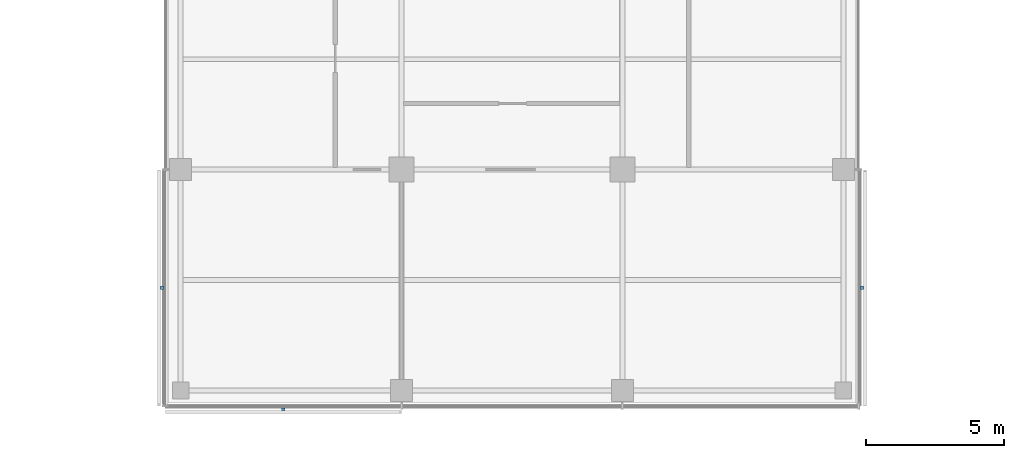
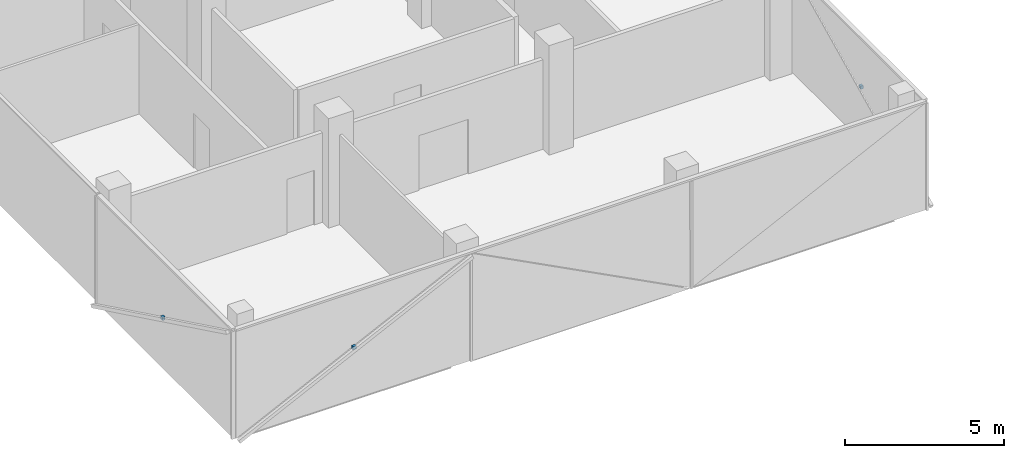
# One storey, part 13 of 15: 3 discrete accessories.
"""IFC4 building model written with IfcOpenShell, lengths in metres."""

from ifc_helpers import new_model, si_unit, direction, frame, origin, origin_2d, place, context, subcontext, project, spatial, rectangle, extrude, material, type_object, element, save


model = new_model("IFC4")

# Units and contexts
model_context = context("Model", 3, precision=1e-05, world=origin(), true_north=direction((0.0, 1.0)))
body_context = subcontext(model_context, "Body", "Model", "MODEL_VIEW")
ifc_project = project(units=[si_unit("LENGTHUNIT", "METRE"), si_unit("AREAUNIT", "SQUARE_METRE"), si_unit("VOLUMEUNIT", "CUBIC_METRE"), si_unit("PLANEANGLEUNIT", "RADIAN"), si_unit("MASSUNIT", "GRAM", prefix="KILO")], contexts=[model_context])

# Site, building, storey
site_placement = place(None, origin())
site = spatial("IfcSite", under=ifc_project, at=site_placement, CompositionType="ELEMENT")
building_placement = place(site_placement, origin())
building = spatial("IfcBuilding", under=site, at=building_placement, Name="Crosswind Convention Tower", CompositionType="ELEMENT")
storey_placement = place(building_placement, frame((0.0, 0.0, 225.10009765625)))
storey = spatial("IfcBuildingStorey", under=building, at=storey_placement, Name="L48", CompositionType="ELEMENT", Elevation=225.10009765625)

# Discrete accessories
ifc_material = material(Name="Stainless steel", Category="steel")
discrete_accessory_type = type_object("IfcDiscreteAccessoryType", Name="BAGUETTE BRACKET BK3", PredefinedType="BRACKET", material=ifc_material)
for number, where, z_axis, x_axis, name in (
    (1, (112.323974609375, 75.719970703125, 1.704833984375), (0.0, 0.0, 1.0), (0.0, -1.0, 0.0), "BK3 baguette bracket"),
    (2, (116.719970703125, 71.323974609375, 1.704833984375), (0.0, 0.0, 1.0), (1.0, 0.0, 0.0), "BK3 baguette bracket"),
    (3, (137.676025390625, 75.719970703125, 1.704833984375), (0.0, 0.0, 1.0), (0.0, 1.0, 0.0), "BK3 baguette bracket"),
):
    element("IfcDiscreteAccessory", number, at=place(storey_placement, frame(where, z_axis=z_axis, x_axis=x_axis)), inside=storey, type_object=discrete_accessory_type, Name=name, PredefinedType="BRACKET", context=body_context, shape_type="SweptSolid", body=[
        extrude(rectangle(XDim=0.1201171875, YDim=0.10009765625, at=origin_2d()), origin(), (0.0, 0.0, 1.0), 0.1201171875),
    ])

save(model, "model.ifc")
